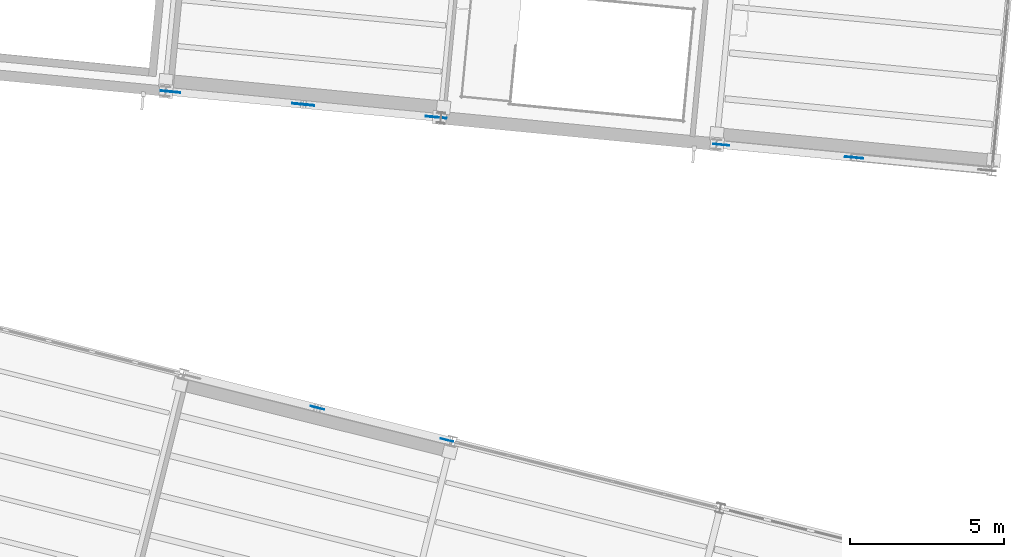
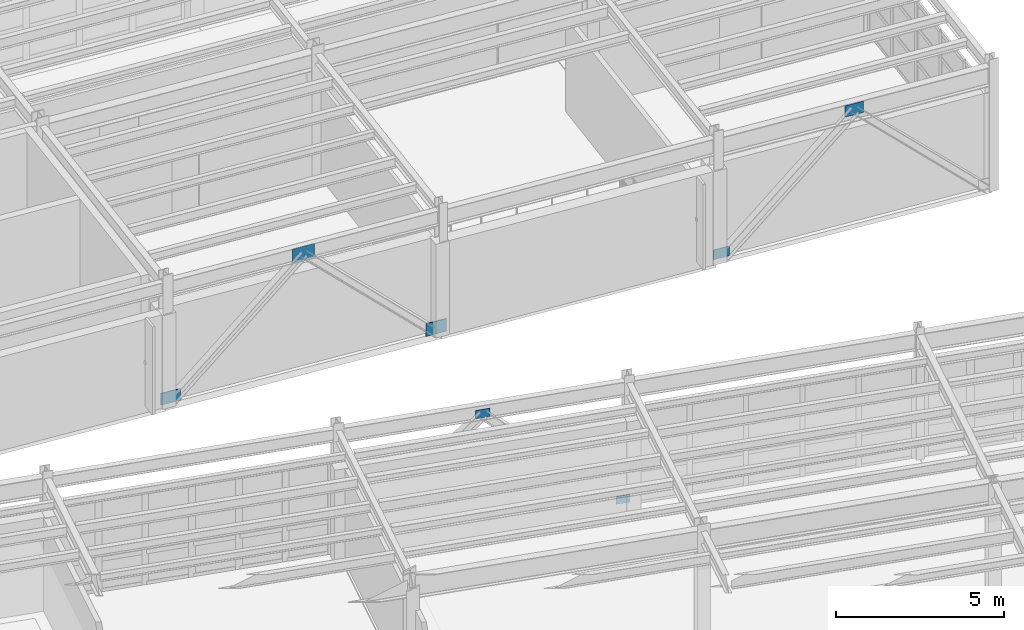
# One storey, part 78 of 102: 7 plates.
"""IFC4 building model written with IfcOpenShell, lengths in metres."""

from ifc_helpers import new_model, si_unit, direction, frame, origin, origin_2d, place, context, subcontext, project, spatial, rectangle, extrude, material, layer, layer_set, type_object, element, save


model = new_model("IFC4")

# Units and contexts
model_context = context("Model", 3, precision=1e-05, world=origin(), true_north=direction((0.0, 1.0)))
body_context = subcontext(model_context, "Body", "Model", "MODEL_VIEW")
ifc_project = project(units=[si_unit("LENGTHUNIT", "METRE"), si_unit("AREAUNIT", "SQUARE_METRE"), si_unit("VOLUMEUNIT", "CUBIC_METRE"), si_unit("PLANEANGLEUNIT", "RADIAN"), si_unit("MASSUNIT", "GRAM", prefix="KILO")], contexts=[model_context])

# Site, building, storey
site_placement = place(None, origin())
site = spatial("IfcSite", under=ifc_project, at=site_placement, CompositionType="ELEMENT")
building_placement = place(site_placement, origin())
building = spatial("IfcBuilding", under=site, at=building_placement, Name="Vireo Bluff Cable Station", CompositionType="ELEMENT")
storey_placement = place(building_placement, frame((0.0, 0.0, 9.60009765625)))
storey = spatial("IfcBuildingStorey", under=building, at=storey_placement, Name="L02", CompositionType="ELEMENT", Elevation=9.60009765625)

# Plates
ifc_material = material(Name="Steel ASTM A572 Gr. 50", Category="steel")
ifc_layer_1 = layer(ifc_material, 0.01611328125, Name="Steel ASTM A572 Gr. 50")
ifc_layer_set_1 = layer_set([ifc_layer_1], Name="Steel ASTM A572 Gr. 50")
plate_type_1 = type_object("IfcPlateType", Name="GUSSET-420X280X16", PredefinedType="USERDEFINED", material=ifc_layer_set_1)
plate_1_placement = place(storey_placement, frame((85.848876953125, 54.7939453125, 0.080078125), z_axis=(0.0, 0.0, 1.0), x_axis=(0.970295726276, -0.2419218956, 0.0)))
element("IfcPlate", 1, at=plate_1_placement, inside=storey, type_object=plate_type_1, Name="V1 L02 brace base gusset plate 40", ObjectType="GUSSET PLATE", PredefinedType="USERDEFINED", context=body_context, shape_type="SweptSolid", body=[
    extrude(rectangle(XDim=0.419921875, YDim=0.01611328125, at=origin_2d()), origin(), (0.0, 0.0, 1.0), 0.280029296875),
])
ifc_layer_2 = layer(ifc_material, 0.01806640625, Name="Steel ASTM A572 Gr. 50")
ifc_layer_set_2 = layer_set([ifc_layer_2], Name="Steel ASTM A572 Gr. 50")
plate_type_2 = type_object("IfcPlateType", Name="GUSSET-460X300X18", PredefinedType="USERDEFINED", material=ifc_layer_set_2)
plate_2_placement = place(storey_placement, frame((81.6376953125, 55.84375, 4.02978515625), z_axis=(0.0, 0.0, 1.0), x_axis=(0.970295726276, -0.2419218956, 0.0)))
element("IfcPlate", 2, at=plate_2_placement, inside=storey, type_object=plate_type_2, Name="V1 L02 chevron gusset plate 41", ObjectType="GUSSET PLATE", PredefinedType="USERDEFINED", context=body_context, shape_type="SweptSolid", body=[
    extrude(rectangle(XDim=0.4599609375, YDim=0.01806640625, at=origin_2d()), origin(), (0.0, 0.0, 1.0), 0.300048828125),
])
ifc_layer_3 = layer(ifc_material, 0.02099609375, Name="Steel ASTM A572 Gr. 50")
ifc_layer_set_3 = layer_set([ifc_layer_3], Name="Steel ASTM A572 Gr. 50")
plate_type_3 = type_object("IfcPlateType", Name="GUSSET-520X350X21", PredefinedType="USERDEFINED", material=ifc_layer_set_3)
plate_3_placement = place(storey_placement, frame((94.77294921875, 64.400634765625, 0.044921875), z_axis=(0.0, 0.0, 1.0), x_axis=(0.995396198367, -0.09584575252, 0.0)))
element("IfcPlate", 3, at=plate_3_placement, inside=storey, type_object=plate_type_3, Name="V3 L02 brace base gusset plate 152", ObjectType="GUSSET PLATE", PredefinedType="USERDEFINED", context=body_context, shape_type="SweptSolid", body=[
    extrude(rectangle(XDim=0.52001953125, YDim=0.02099609375, at=origin_2d()), origin(), (0.0, 0.0, 1.0), 0.35009765625),
])
ifc_layer_4 = layer(ifc_material, 0.02490234375, Name="Steel ASTM A572 Gr. 50")
ifc_layer_set_4 = layer_set([ifc_layer_4], Name="Steel ASTM A572 Gr. 50")
plate_type_4 = type_object("IfcPlateType", Name="GUSSET-600X410X25", PredefinedType="USERDEFINED", material=ifc_layer_set_4)
plate_4_placement = place(storey_placement, frame((99.093017578125, 63.984619140625, 3.97509765625), z_axis=(0.0, 0.0, 1.0), x_axis=(0.995396198367, -0.09584575252, 0.0)))
element("IfcPlate", 4, at=plate_4_placement, inside=storey, type_object=plate_type_4, Name="V3 L02 chevron gusset plate 154", ObjectType="GUSSET PLATE", PredefinedType="USERDEFINED", context=body_context, shape_type="SweptSolid", body=[
    extrude(rectangle(XDim=0.60009765625, YDim=0.02490234375, at=origin_2d()), origin(), (0.0, 0.0, 1.0), 0.409912109375),
])
ifc_layer_5 = layer(ifc_material, 0.027099609375, Name="Steel ASTM A572 Gr. 50")
ifc_layer_set_5 = layer_set([ifc_layer_5], Name="Steel ASTM A572 Gr. 50")
plate_type_5 = type_object("IfcPlateType", Name="GUSSET-640X430X27", PredefinedType="USERDEFINED", material=ifc_layer_set_5)
plate_5_placement = place(storey_placement, frame((76.85595703125, 66.1259765625, 0.0048828125), z_axis=(0.0, 0.0, 1.0), x_axis=(0.995396198367, -0.09584575252, 0.0)))
element("IfcPlate", 5, at=plate_5_placement, inside=storey, type_object=plate_type_5, Name="V3 L02 brace base gusset plate 155", ObjectType="GUSSET PLATE", PredefinedType="USERDEFINED", context=body_context, shape_type="SweptSolid", body=[
    extrude(rectangle(XDim=0.639892578125, YDim=0.027099609375, at=origin_2d()), origin(), (0.0, 0.0, 1.0), 0.429931640625),
])
ifc_layer_6 = layer(ifc_material, 0.029052734375, Name="Steel ASTM A572 Gr. 50")
ifc_layer_set_6 = layer_set([ifc_layer_6], Name="Steel ASTM A572 Gr. 50")
plate_type_6 = type_object("IfcPlateType", Name="GUSSET-680X460X29", PredefinedType="USERDEFINED", material=ifc_layer_set_6)
plate_6_placement = place(storey_placement, frame((85.495849609375, 65.2939453125, -0.010009765625), z_axis=(0.0, 0.0, 1.0), x_axis=(0.995396198367, -0.09584575252, 0.0)))
element("IfcPlate", 6, at=plate_6_placement, inside=storey, type_object=plate_type_6, Name="V3 L02 brace base gusset plate 156", ObjectType="GUSSET PLATE", PredefinedType="USERDEFINED", context=body_context, shape_type="SweptSolid", body=[
    extrude(rectangle(XDim=0.679931640625, YDim=0.029052734375, at=origin_2d()), origin(), (0.0, 0.0, 1.0), 0.4599609375),
])
ifc_layer_7 = layer(ifc_material, 0.031005859375, Name="Steel ASTM A572 Gr. 50")
ifc_layer_set_7 = layer_set([ifc_layer_7], Name="Steel ASTM A572 Gr. 50")
plate_type_7 = type_object("IfcPlateType", Name="GUSSET-720X490X31", PredefinedType="USERDEFINED", material=ifc_layer_set_7)
plate_7_placement = place(storey_placement, frame((81.176025390625, 65.7099609375, 3.93505859375), z_axis=(0.0, 0.0, 1.0), x_axis=(0.995396198367, -0.09584575252, 0.0)))
element("IfcPlate", 7, at=plate_7_placement, inside=storey, type_object=plate_type_7, Name="V3 L02 chevron gusset plate 157", ObjectType="GUSSET PLATE", PredefinedType="USERDEFINED", context=body_context, shape_type="SweptSolid", body=[
    extrude(rectangle(XDim=0.719970703125, YDim=0.031005859375, at=origin_2d()), origin(), (0.0, 0.0, 1.0), 0.489990234375),
])

save(model, "model.ifc")
